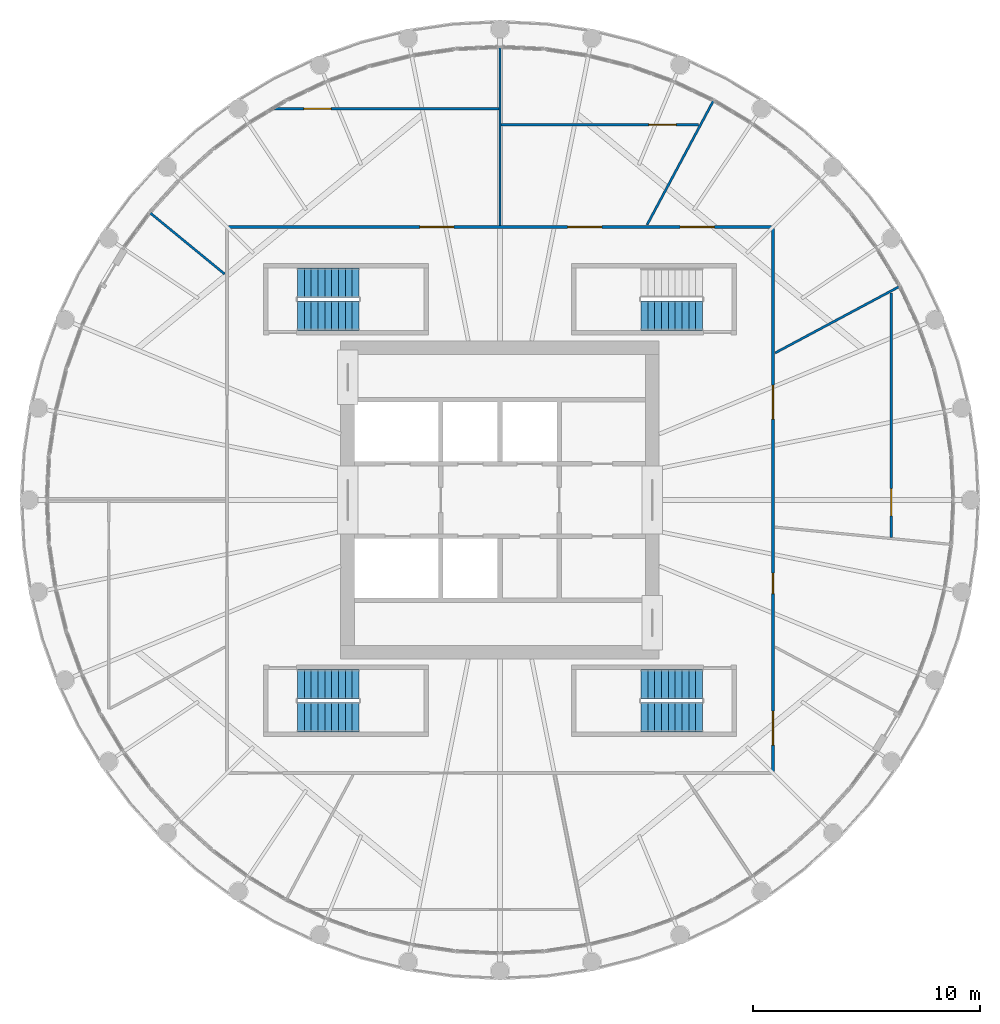
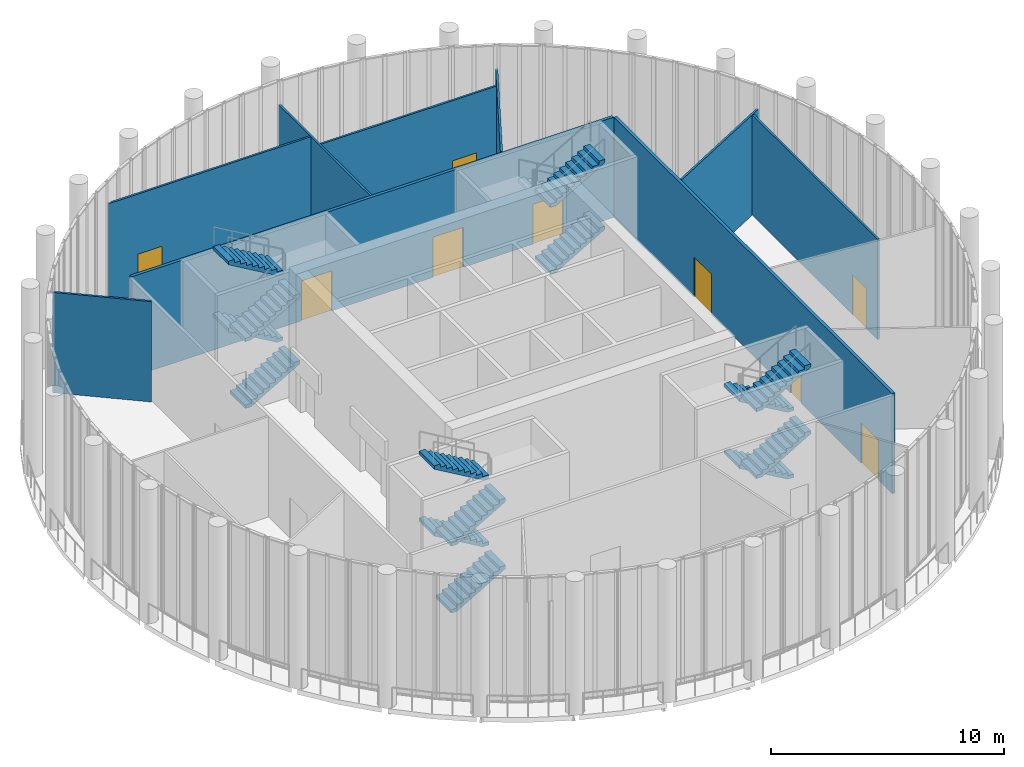
# One storey, part 17 of 21: 14 stair flights, 9 doors, 9 walls, 9 openings, 4 elements without a shape of their own.
"""IFC4 building model written with IfcOpenShell, lengths in metres."""

import ifcopenshell
import ifcopenshell.guid

model = None  # the IFC model being written
_history = None  # IfcOwnerHistory: only IFC2X3 demands one
_inside = {}  # id of a spatial element -> (the spatial element, [elements in it])
_under = {}  # id of a project, library or spatial element -> (it, [spatial elements below it])
_declared = {}  # id of a project -> (the project, [libraries it declares])
_typed = {}  # id of a type object -> (the type object, [elements of that type])
_made_of = {}  # id of a material, layer set ... -> (it, [elements and type objects made of it])


def new_model(schema):
    """Start an empty IFC model of exactly this schema.

    Asked for "IFC4X3", IfcOpenShell would pick the latest addendum, in which some entities
    have other attributes; the version numbers below select the first issue.
    IFC2X3 requires an IfcOwnerHistory on every rooted entity: one is made here for all.
    """
    global model, _history
    if schema == "IFC4X3":
        model = ifcopenshell.file(schema_version=(4, 3, 0, 0))
    else:
        model = ifcopenshell.file(schema=schema)
    _inside.clear()
    _under.clear()
    _declared.clear()
    _typed.clear()
    _made_of.clear()
    _history = None
    if model.schema == "IFC2X3":
        org = make("IfcOrganization", Name="unknown")
        user = make(
            "IfcPersonAndOrganization",
            ThePerson=make("IfcPerson", FamilyName="unknown"),
            TheOrganization=org,
        )
        app = make(
            "IfcApplication",
            ApplicationDeveloper=org,
            Version="unknown",
            ApplicationFullName="unknown",
            ApplicationIdentifier="unknown",
        )
        _history = make(
            "IfcOwnerHistory",
            OwningUser=user,
            OwningApplication=app,
            ChangeAction="ADDED",
            CreationDate=0,
        )
    return model


def make(cls, **values):
    """One entity of the class cls with the attributes given. An attribute that is None is left unset."""
    return model.create_entity(
        cls, **{name: value for name, value in values.items() if value is not None}
    )


def rooted(cls, **values):
    """An entity with a GlobalId (a new one), such as an element, a storey or a relation."""
    return make(cls, GlobalId=ifcopenshell.guid.new(), OwnerHistory=_history, **values)


def si_unit(unit_type, name, prefix=None):
    """IfcSIUnit, for example si_unit("LENGTHUNIT", "METRE", prefix="MILLI")."""
    return make("IfcSIUnit", UnitType=unit_type, Prefix=prefix, Name=name)


def assignment(units):
    """IfcUnitAssignment: the units of a project."""
    return None if units is None else make("IfcUnitAssignment", Units=units)


def point(xyz):
    """IfcCartesianPoint."""
    return None if xyz is None else make("IfcCartesianPoint", Coordinates=xyz)


def direction(xyz):
    """IfcDirection."""
    return None if xyz is None else make("IfcDirection", DirectionRatios=xyz)


def frame(location, z_axis=None, x_axis=None):
    """IfcAxis2Placement3D, a coordinate frame: its origin and axes. An axis left out is left unset."""
    return make(
        "IfcAxis2Placement3D",
        Location=point(location),
        Axis=direction(z_axis),
        RefDirection=direction(x_axis),
    )


def frame_2d(location, x_axis=None):
    """IfcAxis2Placement2D, a coordinate frame in the plane: its origin and x axis."""
    return make(
        "IfcAxis2Placement2D", Location=point(location), RefDirection=direction(x_axis)
    )


def origin():
    """The frame at (0, 0, 0) with its axes left unset."""
    return frame((0.0, 0.0, 0.0))


def place(relative_to, where):
    """IfcLocalPlacement: puts the frame where relative to a parent placement (None: the world)."""
    return make(
        "IfcLocalPlacement", PlacementRelTo=relative_to, RelativePlacement=where
    )


def context(
    kind, dimensions, precision=None, world=None, true_north=None, identifier=None
):
    """IfcGeometricRepresentationContext, for example the 3D "Model" context."""
    return make(
        "IfcGeometricRepresentationContext",
        ContextIdentifier=identifier,
        ContextType=kind,
        CoordinateSpaceDimension=dimensions,
        Precision=precision,
        WorldCoordinateSystem=world,
        TrueNorth=true_north,
    )


def subcontext(parent, identifier, kind, view, scale=None):
    """IfcGeometricRepresentationSubContext, for example "Body" below "Model"."""
    return make(
        "IfcGeometricRepresentationSubContext",
        ContextIdentifier=identifier,
        ContextType=kind,
        ParentContext=parent,
        TargetScale=scale,
        TargetView=view,
    )


def project(units=None, contexts=None):
    """IfcProject with its units and contexts."""
    return rooted(
        "IfcProject",
        Name="project",
        RepresentationContexts=contexts,
        UnitsInContext=assignment(units),
    )


def spatial(cls, under=None, at=None, **own):
    """A site, building, storey or space (cls), placed at a placement, below another one or the project."""
    s = rooted(cls, ObjectPlacement=at, **own)
    if under is not None:
        _under.setdefault(under.id(), (under, []))[1].append(s)
    return s


def polyline(points):
    """IfcPolyline through the points."""
    return make("IfcPolyline", Points=[point(p) for p in points])


def profile(cls, at=None, kind="AREA", **sizes):
    """A parametric profile (cls). Its sizes go by their IFC names, for example OverallWidth=200.0."""
    return make(cls, ProfileType=kind, Position=at, **sizes)


def rectangle(**sizes):
    """IfcRectangleProfileDef."""
    return profile("IfcRectangleProfileDef", **sizes)


def outline(outer, holes=None, kind="AREA"):
    """IfcArbitraryClosedProfileDef: a profile drawn as a closed curve; with holes, ...WithVoids."""
    if holes is None:
        return make("IfcArbitraryClosedProfileDef", ProfileType=kind, OuterCurve=outer)
    return make(
        "IfcArbitraryProfileDefWithVoids",
        ProfileType=kind,
        OuterCurve=outer,
        InnerCurves=holes,
    )


def extrude(swept, where, along, depth):
    """IfcExtrudedAreaSolid: the profile swept, set in the frame where, extruded along a direction by depth."""
    return make(
        "IfcExtrudedAreaSolid",
        SweptArea=swept,
        Position=where,
        ExtrudedDirection=direction(along),
        Depth=depth,
    )


def shape(context_of_items, identifier, shape_type, items):
    """IfcShapeRepresentation: the items that make up one representation, for example the "Body"."""
    return make(
        "IfcShapeRepresentation",
        ContextOfItems=context_of_items,
        RepresentationIdentifier=identifier,
        RepresentationType=shape_type,
        Items=items,
    )


def material(Name=None, Category=None):
    """IfcMaterial."""
    return make("IfcMaterial", Name=Name, Category=Category)


def layer(
    of_material, thickness, ventilated=None, Name=None, Category=None, Priority=None
):
    """IfcMaterialLayer: one layer of a wall or slab, of a material (None: an air gap)."""
    return make(
        "IfcMaterialLayer",
        Material=of_material,
        LayerThickness=thickness,
        IsVentilated=ventilated,
        Name=Name,
        Category=Category,
        Priority=Priority,
    )


def layer_set(layers, Name=None):
    """IfcMaterialLayerSet."""
    return make("IfcMaterialLayerSet", MaterialLayers=layers, LayerSetName=Name)


def made_of(thing, what):
    """Note that an element or type object is made of a material, layer set ...; save() writes the relation."""
    if what is not None:
        _made_of.setdefault(what.id(), (what, []))[1].append(thing)
    return thing


def type_object(cls, material=None, **own):
    """A type object (cls), such as IfcWallType, which elements share."""
    return made_of(rooted(cls, **own), material)


def element(
    cls,
    number,
    at=None,
    inside=None,
    cuts=None,
    type_object=None,
    material=None,
    context=None,
    identifier="Body",
    shape_type=None,
    held_by="IfcProductDefinitionShape",
    body=None,
    shapes=None,
    **own,
):
    """One element of the class cls, such as IfcWall. Its Tag is "e" and its number.

    at: its placement. inside: the storey or other place that contains it. cuts: it is an
    opening in that element (IfcRelVoidsElement). A single representation is given by context,
    identifier, shape_type and body (its items); several are given by shapes. held_by: the class
    of the entity that holds the representations. save() writes the other relations.
    """
    e = rooted(cls, Tag="e%d" % number, ObjectPlacement=at, **own)
    if body is not None:
        shapes = [shape(context, identifier, shape_type, body)]
    if shapes is not None:
        e.Representation = make(held_by, Representations=shapes)
    if inside is not None:
        _inside.setdefault(inside.id(), (inside, []))[1].append(e)
    if cuts is not None:
        rooted(
            "IfcRelVoidsElement", RelatingBuildingElement=cuts, RelatedOpeningElement=e
        )
    if type_object is not None:
        _typed.setdefault(type_object.id(), (type_object, []))[1].append(e)
    return made_of(e, material)


def fill(opening, filler):
    """IfcRelFillsElement: the door or window that sits in an opening."""
    return rooted(
        "IfcRelFillsElement",
        RelatingOpeningElement=opening,
        RelatedBuildingElement=filler,
    )


def aggregate(whole, parts):
    """IfcRelAggregates: a whole, such as a stair, and the parts it consists of."""
    return rooted("IfcRelAggregates", RelatingObject=whole, RelatedObjects=parts)


def save(model, path):
    """Write the relations noted so far, then the file.

    IfcRelAggregates (storeys below a building ...), IfcRelContainedInSpatialStructure (elements
    in a storey), IfcRelDefinesByType, IfcRelAssociatesMaterial and IfcRelDeclares: one each for
    every whole, place, type object, material and project.
    """
    for whole, parts in _under.values():
        aggregate(whole, parts)
    for where, things in _inside.values():
        rooted(
            "IfcRelContainedInSpatialStructure",
            RelatedElements=things,
            RelatingStructure=where,
        )
    for kind, things in _typed.values():
        rooted("IfcRelDefinesByType", RelatedObjects=things, RelatingType=kind)
    for what, things in _made_of.values():
        rooted("IfcRelAssociatesMaterial", RelatedObjects=things, RelatingMaterial=what)
    for by, libraries in _declared.values():
        rooted("IfcRelDeclares", RelatingContext=by, RelatedDefinitions=libraries)
    model.write(path)


model = new_model("IFC4")

# Units and contexts
model_context = context("Model", 3, precision=1e-05, world=origin(), true_north=direction((0.0, 1.0)))
body_context = subcontext(model_context, "Body", "Model", "MODEL_VIEW")
ifc_project = project(units=[si_unit("LENGTHUNIT", "METRE"), si_unit("AREAUNIT", "SQUARE_METRE"), si_unit("VOLUMEUNIT", "CUBIC_METRE"), si_unit("PLANEANGLEUNIT", "RADIAN"), si_unit("MASSUNIT", "GRAM", prefix="KILO")], contexts=[model_context])

# Site, building, storey
site_placement = place(None, origin())
site = spatial("IfcSite", under=ifc_project, at=site_placement, CompositionType="ELEMENT")
building_placement = place(site_placement, origin())
building = spatial("IfcBuilding", under=site, at=building_placement, Name="Corvane Civic Tower", CompositionType="ELEMENT")
storey_placement = place(building_placement, frame((0.0, 0.0, 380.5)))
storey = spatial("IfcBuildingStorey", under=building, at=storey_placement, Name="L91", CompositionType="ELEMENT", Elevation=380.5)

# Wall, opening, door
ifc_material_1 = material(Name="Plasterboard")
ifc_layer_1 = layer(ifc_material_1, 0.10009765625)
ifc_layer_set_1 = layer_set([ifc_layer_1], Name="Plasterboard")
wall_type_1 = type_object("IfcWallType", Name="Partition 100 plasterboard on studs", PredefinedType="PARTITIONING", material=ifc_layer_set_1)
wall_1_placement = place(storey_placement, frame((17.199951171875, -1.638916015625, 0.0), z_axis=(0.0, 0.0, 1.0), x_axis=(0.0, 1.0, 0.0)))
wall_1 = element("IfcWall", 1, at=wall_1_placement, inside=storey, type_object=wall_type_1, Name="Partition L91.012", PredefinedType="PARTITIONING", context=body_context, shape_type="SweptSolid", body=[
    extrude(rectangle(XDim=10.7490234375, YDim=0.10009765625, at=frame_2d((5.37451171875, 0.0))), origin(), (0.0, 0.0, 1.0), 5.25),
])
opening_1_placement = place(wall_1_placement, frame((0.944580078125, 0.0, 0.0)))
opening_1 = element("IfcOpeningElement", 2, at=opening_1_placement, cuts=wall_1, Name="Opening L91.004", PredefinedType="OPENING", context=body_context, shape_type="SweptSolid", body=[
    extrude(rectangle(XDim=1.199951171875, YDim=2.10009765625, at=frame_2d((0.60009765625, 1.050048828125))), frame((0.0, 0.06005859375, 0.0), z_axis=(0.0, -1.0, 0.0), x_axis=(1.0, 0.0, 0.0)), (0.0, 0.0, 1.0), 0.1201171875),
])
ifc_material_2 = material(Name="Timber", Category="wood")
door_type_1 = type_object("IfcDoorType", Name="Double door 1200", OperationType="NOTDEFINED", PredefinedType="DOOR", material=ifc_material_2)
door_1_placement = place(opening_1_placement, frame((1.199951171875, 0.0, 0.0), z_axis=(0.0, 0.0, 1.0), x_axis=(-1.0, 0.0, 0.0)))
door_1 = element("IfcDoor", 3, at=door_1_placement, inside=storey, type_object=door_type_1, Name="Door L91.004", OperationType="DOUBLE_DOOR_SINGLE_SWING", OverallHeight=2.10009765625, OverallWidth=1.199951171875, PredefinedType="DOOR", context=body_context, shape_type="SweptSolid", body=[
    extrude(rectangle(XDim=1.199951171875, YDim=2.10009765625, at=frame_2d((0.60009765625, 1.050048828125))), frame((0.0, 0.02490234375, 0.0), z_axis=(0.0, -1.0, 0.0), x_axis=(1.0, 0.0, 0.0)), (0.0, 0.0, 1.0), 0.050048828125),
])
fill(opening_1, door_1)

# Walls
wall_2_placement = place(storey_placement, frame((12.0986328125, 6.466796875, 0.0), z_axis=(0.0, 0.0, 1.0), x_axis=(0.881911169036, 0.47141562334, 0.0)))
element("IfcWall", 4, at=wall_2_placement, inside=storey, type_object=wall_type_1, Name="Partition L91.014", PredefinedType="PARTITIONING", context=body_context, shape_type="SweptSolid", body=[
    extrude(rectangle(XDim=6.231689453125, YDim=0.10009765625, at=frame_2d((3.11572265625, 0.0))), origin(), (0.0, 0.0, 1.0), 5.25),
])
wall_3_placement = place(storey_placement, frame((-15.421630859375, 12.65625, 0.0), z_axis=(0.0, 0.0, 1.0), x_axis=(0.773015384405, -0.634387275624, 0.0)))
element("IfcWall", 5, at=wall_3_placement, inside=storey, type_object=wall_type_1, Name="Partition L91.015", PredefinedType="PARTITIONING", context=body_context, shape_type="SweptSolid", body=[
    extrude(rectangle(XDim=4.288330078125, YDim=0.10009765625, at=frame_2d((2.14404296875, 0.0))), origin(), (0.0, 0.0, 1.0), 5.25),
])
wall_4_placement = place(storey_placement, frame((0.0, 12.074951171875, 0.0), z_axis=(0.0, 0.0, 1.0), x_axis=(0.0, 1.0, 0.0)))
element("IfcWall", 6, at=wall_4_placement, inside=storey, type_object=wall_type_1, Name="Partition L91.017", PredefinedType="PARTITIONING", context=body_context, shape_type="SweptSolid", body=[
    extrude(rectangle(XDim=7.875244140625, YDim=0.10009765625, at=frame_2d((3.9375, 0.0))), origin(), (0.0, 0.0, 1.0), 5.25),
])
wall_5_placement = place(storey_placement, frame((6.466796875, 12.0986328125, 0.0), z_axis=(0.0, 0.0, 1.0), x_axis=(0.47141562334, 0.881911169036, 0.0)))
element("IfcWall", 7, at=wall_5_placement, inside=storey, type_object=wall_type_1, Name="Partition L91.018", PredefinedType="PARTITIONING", context=body_context, shape_type="SweptSolid", body=[
    extrude(rectangle(XDim=6.231689453125, YDim=0.10009765625, at=frame_2d((3.11572265625, 0.0))), origin(), (0.0, 0.0, 1.0), 5.25),
])

# Wall, opening, door
wall_6_placement = place(storey_placement, frame((0.050048828125, 16.5, 0.0), z_axis=(0.0, 0.0, 1.0), x_axis=(1.0, 0.0, 0.0)))
wall_6 = element("IfcWall", 8, at=wall_6_placement, inside=storey, type_object=wall_type_1, Name="Partition L91.019", PredefinedType="PARTITIONING", context=body_context, shape_type="SweptSolid", body=[
    extrude(rectangle(XDim=8.68603515625, YDim=0.10009765625, at=frame_2d((4.343017578125, 0.0))), origin(), (0.0, 0.0, 1.0), 5.25),
])
opening_2_placement = place(wall_6_placement, frame((6.497314453125, 0.0, 0.0)))
opening_2 = element("IfcOpeningElement", 9, at=opening_2_placement, cuts=wall_6, Name="Opening L91.001", PredefinedType="OPENING", context=body_context, shape_type="SweptSolid", body=[
    extrude(rectangle(XDim=1.199951171875, YDim=2.10009765625, at=frame_2d((0.60009765625, 1.050048828125))), frame((0.0, 0.06005859375, 0.0), z_axis=(0.0, -1.0, 0.0), x_axis=(1.0, 0.0, 0.0)), (0.0, 0.0, 1.0), 0.1201171875),
])
door_2_placement = place(opening_2_placement, origin())
door_2 = element("IfcDoor", 10, at=door_2_placement, inside=storey, type_object=door_type_1, Name="Door L91.001", OperationType="DOUBLE_DOOR_SINGLE_SWING", OverallHeight=2.10009765625, OverallWidth=1.199951171875, PredefinedType="DOOR", context=body_context, shape_type="SweptSolid", body=[
    extrude(rectangle(XDim=1.199951171875, YDim=2.10009765625, at=frame_2d((0.60009765625, 1.050048828125))), frame((0.0, 0.02490234375, 0.0), z_axis=(0.0, -1.0, 0.0), x_axis=(1.0, 0.0, 0.0)), (0.0, 0.0, 1.0), 0.050048828125),
])
fill(opening_2, door_2)

wall_7_placement = place(storey_placement, frame((-10.062744140625, 17.199951171875, 0.0), z_axis=(0.0, 0.0, 1.0), x_axis=(1.0, 0.0, 0.0)))
wall_7 = element("IfcWall", 11, at=wall_7_placement, inside=storey, type_object=wall_type_1, Name="Partition L91.020", PredefinedType="PARTITIONING", context=body_context, shape_type="SweptSolid", body=[
    extrude(rectangle(XDim=10.0126953125, YDim=0.10009765625, at=frame_2d((5.00634765625, 0.0))), origin(), (0.0, 0.0, 1.0), 5.25),
])
opening_3_placement = place(wall_7_placement, frame((1.44482421875, 0.0, 0.0)))
opening_3 = element("IfcOpeningElement", 12, at=opening_3_placement, cuts=wall_7, Name="Opening L91.015", PredefinedType="OPENING", context=body_context, shape_type="SweptSolid", body=[
    extrude(rectangle(XDim=1.199951171875, YDim=2.10009765625, at=frame_2d((0.60009765625, 1.050048828125))), frame((0.0, 0.06005859375, 0.0), z_axis=(0.0, -1.0, 0.0), x_axis=(1.0, 0.0, 0.0)), (0.0, 0.0, 1.0), 0.1201171875),
])
door_3_placement = place(opening_3_placement, origin())
door_3 = element("IfcDoor", 13, at=door_3_placement, inside=storey, type_object=door_type_1, Name="Door L91.015", OperationType="DOUBLE_DOOR_SINGLE_SWING", OverallHeight=2.10009765625, OverallWidth=1.199951171875, PredefinedType="DOOR", context=body_context, shape_type="SweptSolid", body=[
    extrude(rectangle(XDim=1.199951171875, YDim=2.10009765625, at=frame_2d((0.60009765625, 1.050048828125))), frame((0.0, 0.02490234375, 0.0), z_axis=(0.0, -1.0, 0.0), x_axis=(1.0, 0.0, 0.0)), (0.0, 0.0, 1.0), 0.050048828125),
])
fill(opening_3, door_3)

# Wall, openings, doors
ifc_material_3 = material(Name="Plasterboard")
ifc_layer_2 = layer(ifc_material_3, 0.14990234375)
ifc_layer_set_2 = layer_set([ifc_layer_2], Name="Plasterboard")
wall_type_2 = type_object("IfcWallType", Name="Tenancy wall 150 EI 60", PredefinedType="PARTITIONING", material=ifc_layer_set_2)
wall_8_placement = place(storey_placement, frame((12.0, -11.925048828125, 0.0), z_axis=(0.0, 0.0, 1.0), x_axis=(0.0, 1.0, 0.0)))
wall_8 = element("IfcWall", 14, at=wall_8_placement, inside=storey, type_object=wall_type_2, Name="Partition L91.007", PredefinedType="PARTITIONING", context=body_context, shape_type="SweptSolid", body=[
    extrude(rectangle(XDim=23.85009765625, YDim=0.14990234375, at=frame_2d((11.925048828125, 0.0))), origin(), (0.0, 0.0, 1.0), 5.25),
])
opening_4_placement = place(wall_8_placement, frame((15.47998046875, 0.0, 0.0)))
opening_4 = element("IfcOpeningElement", 15, at=opening_4_placement, cuts=wall_8, Name="Opening L91.005", PredefinedType="OPENING", context=body_context, shape_type="SweptSolid", body=[
    extrude(rectangle(XDim=1.5, YDim=2.10009765625, at=frame_2d((0.75, 1.050048828125))), frame((0.0, 0.0849609375, 0.0), z_axis=(0.0, -1.0, 0.0), x_axis=(1.0, 0.0, 0.0)), (0.0, 0.0, 1.0), 0.169921875),
])
opening_5_placement = place(wall_8_placement, frame((7.8076171875, 0.0, 0.0)))
opening_5 = element("IfcOpeningElement", 16, at=opening_5_placement, cuts=wall_8, Name="Opening L91.006", PredefinedType="OPENING", context=body_context, shape_type="SweptSolid", body=[
    extrude(rectangle(XDim=0.89990234375, YDim=2.10009765625, at=frame_2d((0.449951171875, 1.050048828125))), frame((0.0, 0.0849609375, 0.0), z_axis=(0.0, -1.0, 0.0), x_axis=(1.0, 0.0, 0.0)), (0.0, 0.0, 1.0), 0.169921875),
])
opening_6_placement = place(wall_8_placement, frame((1.14794921875, 0.0, 0.0)))
opening_6 = element("IfcOpeningElement", 17, at=opening_6_placement, cuts=wall_8, Name="Opening L91.007", PredefinedType="OPENING", context=body_context, shape_type="SweptSolid", body=[
    extrude(rectangle(XDim=1.5, YDim=2.10009765625, at=frame_2d((0.75, 1.050048828125))), frame((0.0, 0.0849609375, 0.0), z_axis=(0.0, -1.0, 0.0), x_axis=(1.0, 0.0, 0.0)), (0.0, 0.0, 1.0), 0.169921875),
])
ifc_material_4 = material(Name="Steel and timber", Category="steel")
door_type_2 = type_object("IfcDoorType", Name="Fire door FD30S 900", OperationType="NOTDEFINED", PredefinedType="DOOR", material=ifc_material_4)
door_4_placement = place(opening_5_placement, frame((0.89990234375, 0.0, 0.0), z_axis=(0.0, 0.0, 1.0), x_axis=(-1.0, 0.0, 0.0)))
door_4 = element("IfcDoor", 18, at=door_4_placement, inside=storey, type_object=door_type_2, Name="Door L91.006", OperationType="SINGLE_SWING_RIGHT", OverallHeight=2.10009765625, OverallWidth=0.89990234375, PredefinedType="DOOR", context=body_context, shape_type="SweptSolid", body=[
    extrude(rectangle(XDim=0.89990234375, YDim=2.10009765625, at=frame_2d((0.449951171875, 1.050048828125))), frame((0.0, 0.02490234375, 0.0), z_axis=(0.0, -1.0, 0.0), x_axis=(1.0, 0.0, 0.0)), (0.0, 0.0, 1.0), 0.050048828125),
])
fill(opening_5, door_4)
ifc_material_5 = material(Name="Steel and timber", Category="steel")
door_type_3 = type_object("IfcDoorType", Name="Fire door FD60 double 1500", OperationType="NOTDEFINED", PredefinedType="DOOR", material=ifc_material_5)
door_5_placement = place(opening_4_placement, frame((1.5, 0.0, 0.0), z_axis=(0.0, 0.0, 1.0), x_axis=(-1.0, 0.0, 0.0)))
door_5 = element("IfcDoor", 19, at=door_5_placement, inside=storey, type_object=door_type_3, Name="Door L91.005", OperationType="DOUBLE_DOOR_SINGLE_SWING", OverallHeight=2.10009765625, OverallWidth=1.5, PredefinedType="DOOR", context=body_context, shape_type="SweptSolid", body=[
    extrude(rectangle(XDim=1.5, YDim=2.10009765625, at=frame_2d((0.75, 1.050048828125))), frame((0.0, 0.02490234375, 0.0), z_axis=(0.0, -1.0, 0.0), x_axis=(1.0, 0.0, 0.0)), (0.0, 0.0, 1.0), 0.050048828125),
])
fill(opening_4, door_5)
door_6_placement = place(opening_6_placement, frame((1.5, 0.0, 0.0), z_axis=(0.0, 0.0, 1.0), x_axis=(-1.0, 0.0, 0.0)))
door_6 = element("IfcDoor", 20, at=door_6_placement, inside=storey, type_object=door_type_3, Name="Door L91.007", OperationType="DOUBLE_DOOR_SINGLE_SWING", OverallHeight=2.10009765625, OverallWidth=1.5, PredefinedType="DOOR", context=body_context, shape_type="SweptSolid", body=[
    extrude(rectangle(XDim=1.5, YDim=2.10009765625, at=frame_2d((0.75, 1.050048828125))), frame((0.0, 0.02490234375, 0.0), z_axis=(0.0, -1.0, 0.0), x_axis=(1.0, 0.0, 0.0)), (0.0, 0.0, 1.0), 0.050048828125),
])
fill(opening_6, door_6)

wall_9_placement = place(storey_placement, frame((-11.925048828125, 12.0, 0.0), z_axis=(0.0, 0.0, 1.0), x_axis=(1.0, 0.0, 0.0)))
wall_9 = element("IfcWall", 21, at=wall_9_placement, inside=storey, type_object=wall_type_2, Name="Partition L91.016", PredefinedType="PARTITIONING", context=body_context, shape_type="SweptSolid", body=[
    extrude(rectangle(XDim=23.85009765625, YDim=0.14990234375, at=frame_2d((11.925048828125, 0.0))), origin(), (0.0, 0.0, 1.0), 5.25),
])
opening_7_placement = place(wall_9_placement, frame((14.898681640625, 0.0, 0.0)))
opening_7 = element("IfcOpeningElement", 22, at=opening_7_placement, cuts=wall_9, Name="Opening L91.002", PredefinedType="OPENING", context=body_context, shape_type="SweptSolid", body=[
    extrude(rectangle(XDim=1.5, YDim=2.10009765625, at=frame_2d((0.75, 1.050048828125))), frame((0.0, 0.0849609375, 0.0), z_axis=(0.0, -1.0, 0.0), x_axis=(1.0, 0.0, 0.0)), (0.0, 0.0, 1.0), 0.169921875),
])
opening_8_placement = place(wall_9_placement, frame((19.845703125, 0.0, 0.0)))
opening_8 = element("IfcOpeningElement", 23, at=opening_8_placement, cuts=wall_9, Name="Opening L91.003", PredefinedType="OPENING", context=body_context, shape_type="SweptSolid", body=[
    extrude(rectangle(XDim=1.5, YDim=2.10009765625, at=frame_2d((0.75, 1.050048828125))), frame((0.0, 0.0849609375, 0.0), z_axis=(0.0, -1.0, 0.0), x_axis=(1.0, 0.0, 0.0)), (0.0, 0.0, 1.0), 0.169921875),
])
opening_9_placement = place(wall_9_placement, frame((8.400634765625, 0.0, 0.0)))
opening_9 = element("IfcOpeningElement", 24, at=opening_9_placement, cuts=wall_9, Name="Opening L91.016", PredefinedType="OPENING", context=body_context, shape_type="SweptSolid", body=[
    extrude(rectangle(XDim=1.5, YDim=2.10009765625, at=frame_2d((0.75, 1.050048828125))), frame((0.0, 0.0849609375, 0.0), z_axis=(0.0, -1.0, 0.0), x_axis=(1.0, 0.0, 0.0)), (0.0, 0.0, 1.0), 0.169921875),
])
door_7_placement = place(opening_7_placement, origin())
door_7 = element("IfcDoor", 25, at=door_7_placement, inside=storey, type_object=door_type_3, Name="Door L91.002", OperationType="DOUBLE_DOOR_SINGLE_SWING", OverallHeight=2.10009765625, OverallWidth=1.5, PredefinedType="DOOR", context=body_context, shape_type="SweptSolid", body=[
    extrude(rectangle(XDim=1.5, YDim=2.10009765625, at=frame_2d((0.75, 1.050048828125))), frame((0.0, 0.02490234375, 0.0), z_axis=(0.0, -1.0, 0.0), x_axis=(1.0, 0.0, 0.0)), (0.0, 0.0, 1.0), 0.050048828125),
])
fill(opening_7, door_7)
door_8_placement = place(opening_8_placement, origin())
door_8 = element("IfcDoor", 26, at=door_8_placement, inside=storey, type_object=door_type_3, Name="Door L91.003", OperationType="DOUBLE_DOOR_SINGLE_SWING", OverallHeight=2.10009765625, OverallWidth=1.5, PredefinedType="DOOR", context=body_context, shape_type="SweptSolid", body=[
    extrude(rectangle(XDim=1.5, YDim=2.10009765625, at=frame_2d((0.75, 1.050048828125))), frame((0.0, 0.02490234375, 0.0), z_axis=(0.0, -1.0, 0.0), x_axis=(1.0, 0.0, 0.0)), (0.0, 0.0, 1.0), 0.050048828125),
])
fill(opening_8, door_8)
door_9_placement = place(opening_9_placement, origin())
door_9 = element("IfcDoor", 27, at=door_9_placement, inside=storey, type_object=door_type_3, Name="Door L91.016", OperationType="DOUBLE_DOOR_SINGLE_SWING", OverallHeight=2.10009765625, OverallWidth=1.5, PredefinedType="DOOR", context=body_context, shape_type="SweptSolid", body=[
    extrude(rectangle(XDim=1.5, YDim=2.10009765625, at=frame_2d((0.75, 1.050048828125))), frame((0.0, 0.02490234375, 0.0), z_axis=(0.0, -1.0, 0.0), x_axis=(1.0, 0.0, 0.0)), (0.0, 0.0, 1.0), 0.050048828125),
])
fill(opening_9, door_9)

# Stair, stair flights
ifc_material_6 = material(Name="Concrete C40/50", Category="concrete")
stair_type = type_object("IfcStairType", Name="ST-STAIR-HALFTURN", PredefinedType="HALF_TURN_STAIR", material=ifc_material_6)
stair_1_placement = place(storey_placement, origin())
stair_1 = element("IfcStair", 28, at=stair_1_placement, inside=storey, type_object=stair_type, Name="L91 Exit stair ST1", PredefinedType="HALF_TURN_STAIR")
ifc_material_7 = material(Name="Concrete C40/50", Category="concrete")
stair_flight_type = type_object("IfcStairFlightType", Name="ST-FLIGHT-RC", PredefinedType="STRAIGHT", material=ifc_material_7)
stair_flight_1_placement = place(storey_placement, frame((6.199951171875, 8.10009765625, 1.75), z_axis=(0.0, 0.0, 1.0), x_axis=(1.0, 0.0, 0.0)))
stair_flight_1 = element("IfcStairFlight", 29, at=stair_flight_1_placement, type_object=stair_flight_type, Name="ST1 flight 2", NumberOfRisers=10, NumberOfTreads=9, PredefinedType="STRAIGHT", RiserHeight=0.175, TreadLength=0.3, context=body_context, shape_type="SweptSolid", body=[
    extrude(outline(polyline([(0.0, 0.0), (0.0, 0.175048828125), (0.300048828125, 0.175048828125), (0.300048828125, 0.35009765625), (0.60009765625, 0.35009765625), (0.60009765625, 0.52490234375), (0.89990234375, 0.52490234375), (0.89990234375, 0.699951171875), (1.199951171875, 0.699951171875), (1.199951171875, 0.875), (1.5, 0.875), (1.5, 1.050048828125), (1.800048828125, 1.050048828125), (1.800048828125, 1.22509765625), (2.10009765625, 1.22509765625), (2.10009765625, 1.39990234375), (2.39990234375, 1.39990234375), (2.39990234375, 1.574951171875), (2.699951171875, 1.574951171875), (2.699951171875, 1.75), (2.699951171875, 1.4013671875), (0.297607421875, 0.0), (0.0, 0.0)])), frame((0.0, 0.64990234375, 0.0), z_axis=(0.0, -1.0, 0.0), x_axis=(1.0, 0.0, 0.0)), (0.0, 0.0, 1.0), 1.300048828125),
])
stair_flight_2_placement = place(storey_placement, frame((6.199951171875, 8.10009765625, 5.25), z_axis=(0.0, 0.0, 1.0), x_axis=(1.0, 0.0, 0.0)))
stair_flight_2 = element("IfcStairFlight", 30, at=stair_flight_2_placement, type_object=stair_flight_type, Name="ST1 flight 4", NumberOfRisers=10, NumberOfTreads=9, PredefinedType="STRAIGHT", RiserHeight=0.175, TreadLength=0.3, context=body_context, shape_type="SweptSolid", body=[
    extrude(outline(polyline([(0.0, 0.0), (0.0, 0.175048828125), (0.300048828125, 0.175048828125), (0.300048828125, 0.35009765625), (0.60009765625, 0.35009765625), (0.60009765625, 0.52490234375), (0.89990234375, 0.52490234375), (0.89990234375, 0.699951171875), (1.199951171875, 0.699951171875), (1.199951171875, 0.875), (1.5, 0.875), (1.5, 1.050048828125), (1.800048828125, 1.050048828125), (1.800048828125, 1.22509765625), (2.10009765625, 1.22509765625), (2.10009765625, 1.39990234375), (2.39990234375, 1.39990234375), (2.39990234375, 1.574951171875), (2.699951171875, 1.574951171875), (2.699951171875, 1.75), (2.699951171875, 1.4013671875), (0.297607421875, 0.0), (0.0, 0.0)])), frame((0.0, 0.64990234375, 0.0), z_axis=(0.0, -1.0, 0.0), x_axis=(1.0, 0.0, 0.0)), (0.0, 0.0, 1.0), 1.300048828125),
])
aggregate(stair_1, [stair_flight_1, stair_flight_2])

stair_2_placement = place(storey_placement, origin())
stair_2 = element("IfcStair", 31, at=stair_2_placement, inside=storey, type_object=stair_type, Name="L91 Exit stair ST2", PredefinedType="HALF_TURN_STAIR")
stair_flight_3_placement = place(storey_placement, frame((8.89990234375, -8.10009765625, 0.0), z_axis=(0.0, 0.0, 1.0), x_axis=(-1.0, 0.0, 0.0)))
stair_flight_3 = element("IfcStairFlight", 32, at=stair_flight_3_placement, type_object=stair_flight_type, Name="ST2 flight 1", NumberOfRisers=10, NumberOfTreads=9, PredefinedType="STRAIGHT", RiserHeight=0.175, TreadLength=0.3, context=body_context, shape_type="SweptSolid", body=[
    extrude(outline(polyline([(0.0, 0.0), (0.0, 0.175048828125), (0.300048828125, 0.175048828125), (0.300048828125, 0.35009765625), (0.60009765625, 0.35009765625), (0.60009765625, 0.52490234375), (0.89990234375, 0.52490234375), (0.89990234375, 0.699951171875), (1.199951171875, 0.699951171875), (1.199951171875, 0.875), (1.5, 0.875), (1.5, 1.050048828125), (1.800048828125, 1.050048828125), (1.800048828125, 1.22509765625), (2.10009765625, 1.22509765625), (2.10009765625, 1.39990234375), (2.39990234375, 1.39990234375), (2.39990234375, 1.574951171875), (2.699951171875, 1.574951171875), (2.699951171875, 1.75), (2.699951171875, 1.4013671875), (0.297607421875, 0.0), (0.0, 0.0)])), frame((0.0, 0.64990234375, 0.0), z_axis=(0.0, -1.0, 0.0), x_axis=(1.0, 0.0, 0.0)), (0.0, 0.0, 1.0), 1.300048828125),
])
stair_flight_4_placement = place(storey_placement, frame((6.199951171875, -9.550048828125, 1.75), z_axis=(0.0, 0.0, 1.0), x_axis=(1.0, 0.0, 0.0)))
stair_flight_4 = element("IfcStairFlight", 33, at=stair_flight_4_placement, type_object=stair_flight_type, Name="ST2 flight 2", NumberOfRisers=10, NumberOfTreads=9, PredefinedType="STRAIGHT", RiserHeight=0.175, TreadLength=0.3, context=body_context, shape_type="SweptSolid", body=[
    extrude(outline(polyline([(0.0, 0.0), (0.0, 0.175048828125), (0.300048828125, 0.175048828125), (0.300048828125, 0.35009765625), (0.60009765625, 0.35009765625), (0.60009765625, 0.52490234375), (0.89990234375, 0.52490234375), (0.89990234375, 0.699951171875), (1.199951171875, 0.699951171875), (1.199951171875, 0.875), (1.5, 0.875), (1.5, 1.050048828125), (1.800048828125, 1.050048828125), (1.800048828125, 1.22509765625), (2.10009765625, 1.22509765625), (2.10009765625, 1.39990234375), (2.39990234375, 1.39990234375), (2.39990234375, 1.574951171875), (2.699951171875, 1.574951171875), (2.699951171875, 1.75), (2.699951171875, 1.4013671875), (0.297607421875, 0.0), (0.0, 0.0)])), frame((0.0, 0.64990234375, 0.0), z_axis=(0.0, -1.0, 0.0), x_axis=(1.0, 0.0, 0.0)), (0.0, 0.0, 1.0), 1.300048828125),
])
stair_flight_5_placement = place(storey_placement, frame((8.89990234375, -8.10009765625, 3.5), z_axis=(0.0, 0.0, 1.0), x_axis=(-1.0, 0.0, 0.0)))
stair_flight_5 = element("IfcStairFlight", 34, at=stair_flight_5_placement, type_object=stair_flight_type, Name="ST2 flight 3", NumberOfRisers=10, NumberOfTreads=9, PredefinedType="STRAIGHT", RiserHeight=0.175, TreadLength=0.3, context=body_context, shape_type="SweptSolid", body=[
    extrude(outline(polyline([(0.0, 0.0), (0.0, 0.175048828125), (0.300048828125, 0.175048828125), (0.300048828125, 0.35009765625), (0.60009765625, 0.35009765625), (0.60009765625, 0.52490234375), (0.89990234375, 0.52490234375), (0.89990234375, 0.699951171875), (1.199951171875, 0.699951171875), (1.199951171875, 0.875), (1.5, 0.875), (1.5, 1.050048828125), (1.800048828125, 1.050048828125), (1.800048828125, 1.22509765625), (2.10009765625, 1.22509765625), (2.10009765625, 1.39990234375), (2.39990234375, 1.39990234375), (2.39990234375, 1.574951171875), (2.699951171875, 1.574951171875), (2.699951171875, 1.75), (2.699951171875, 1.4013671875), (0.297607421875, 0.0), (0.0, 0.0)])), frame((0.0, 0.64990234375, 0.0), z_axis=(0.0, -1.0, 0.0), x_axis=(1.0, 0.0, 0.0)), (0.0, 0.0, 1.0), 1.300048828125),
])
stair_flight_6_placement = place(storey_placement, frame((6.199951171875, -9.550048828125, 5.25), z_axis=(0.0, 0.0, 1.0), x_axis=(1.0, 0.0, 0.0)))
stair_flight_6 = element("IfcStairFlight", 35, at=stair_flight_6_placement, type_object=stair_flight_type, Name="ST2 flight 4", NumberOfRisers=10, NumberOfTreads=9, PredefinedType="STRAIGHT", RiserHeight=0.175, TreadLength=0.3, context=body_context, shape_type="SweptSolid", body=[
    extrude(outline(polyline([(0.0, 0.0), (0.0, 0.175048828125), (0.300048828125, 0.175048828125), (0.300048828125, 0.35009765625), (0.60009765625, 0.35009765625), (0.60009765625, 0.52490234375), (0.89990234375, 0.52490234375), (0.89990234375, 0.699951171875), (1.199951171875, 0.699951171875), (1.199951171875, 0.875), (1.5, 0.875), (1.5, 1.050048828125), (1.800048828125, 1.050048828125), (1.800048828125, 1.22509765625), (2.10009765625, 1.22509765625), (2.10009765625, 1.39990234375), (2.39990234375, 1.39990234375), (2.39990234375, 1.574951171875), (2.699951171875, 1.574951171875), (2.699951171875, 1.75), (2.699951171875, 1.4013671875), (0.297607421875, 0.0), (0.0, 0.0)])), frame((0.0, 0.64990234375, 0.0), z_axis=(0.0, -1.0, 0.0), x_axis=(1.0, 0.0, 0.0)), (0.0, 0.0, 1.0), 1.300048828125),
])
aggregate(stair_2, [stair_flight_3, stair_flight_4, stair_flight_5, stair_flight_6])

stair_3_placement = place(storey_placement, origin())
stair_3 = element("IfcStair", 36, at=stair_3_placement, inside=storey, type_object=stair_type, Name="L91 Exit stair ST3", PredefinedType="HALF_TURN_STAIR")
stair_flight_7_placement = place(storey_placement, frame((-8.89990234375, -9.550048828125, 0.0), z_axis=(0.0, 0.0, 1.0), x_axis=(1.0, 0.0, 0.0)))
stair_flight_7 = element("IfcStairFlight", 37, at=stair_flight_7_placement, type_object=stair_flight_type, Name="ST3 flight 1", NumberOfRisers=10, NumberOfTreads=9, PredefinedType="STRAIGHT", RiserHeight=0.175, TreadLength=0.3, context=body_context, shape_type="SweptSolid", body=[
    extrude(outline(polyline([(0.0, 0.0), (0.0, 0.175048828125), (0.300048828125, 0.175048828125), (0.300048828125, 0.35009765625), (0.60009765625, 0.35009765625), (0.60009765625, 0.52490234375), (0.89990234375, 0.52490234375), (0.89990234375, 0.699951171875), (1.199951171875, 0.699951171875), (1.199951171875, 0.875), (1.5, 0.875), (1.5, 1.050048828125), (1.800048828125, 1.050048828125), (1.800048828125, 1.22509765625), (2.10009765625, 1.22509765625), (2.10009765625, 1.39990234375), (2.39990234375, 1.39990234375), (2.39990234375, 1.574951171875), (2.699951171875, 1.574951171875), (2.699951171875, 1.75), (2.699951171875, 1.4013671875), (0.297607421875, 0.0), (0.0, 0.0)])), frame((0.0, 0.64990234375, 0.0), z_axis=(0.0, -1.0, 0.0), x_axis=(1.0, 0.0, 0.0)), (0.0, 0.0, 1.0), 1.300048828125),
])
stair_flight_8_placement = place(storey_placement, frame((-6.199951171875, -8.10009765625, 1.75), z_axis=(0.0, 0.0, 1.0), x_axis=(-1.0, 0.0, 0.0)))
stair_flight_8 = element("IfcStairFlight", 38, at=stair_flight_8_placement, type_object=stair_flight_type, Name="ST3 flight 2", NumberOfRisers=10, NumberOfTreads=9, PredefinedType="STRAIGHT", RiserHeight=0.175, TreadLength=0.3, context=body_context, shape_type="SweptSolid", body=[
    extrude(outline(polyline([(0.0, 0.0), (0.0, 0.175048828125), (0.300048828125, 0.175048828125), (0.300048828125, 0.35009765625), (0.60009765625, 0.35009765625), (0.60009765625, 0.52490234375), (0.89990234375, 0.52490234375), (0.89990234375, 0.699951171875), (1.199951171875, 0.699951171875), (1.199951171875, 0.875), (1.5, 0.875), (1.5, 1.050048828125), (1.800048828125, 1.050048828125), (1.800048828125, 1.22509765625), (2.10009765625, 1.22509765625), (2.10009765625, 1.39990234375), (2.39990234375, 1.39990234375), (2.39990234375, 1.574951171875), (2.699951171875, 1.574951171875), (2.699951171875, 1.75), (2.699951171875, 1.4013671875), (0.297607421875, 0.0), (0.0, 0.0)])), frame((0.0, 0.64990234375, 0.0), z_axis=(0.0, -1.0, 0.0), x_axis=(1.0, 0.0, 0.0)), (0.0, 0.0, 1.0), 1.300048828125),
])
stair_flight_9_placement = place(storey_placement, frame((-8.89990234375, -9.550048828125, 3.5), z_axis=(0.0, 0.0, 1.0), x_axis=(1.0, 0.0, 0.0)))
stair_flight_9 = element("IfcStairFlight", 39, at=stair_flight_9_placement, type_object=stair_flight_type, Name="ST3 flight 3", NumberOfRisers=10, NumberOfTreads=9, PredefinedType="STRAIGHT", RiserHeight=0.175, TreadLength=0.3, context=body_context, shape_type="SweptSolid", body=[
    extrude(outline(polyline([(0.0, 0.0), (0.0, 0.175048828125), (0.300048828125, 0.175048828125), (0.300048828125, 0.35009765625), (0.60009765625, 0.35009765625), (0.60009765625, 0.52490234375), (0.89990234375, 0.52490234375), (0.89990234375, 0.699951171875), (1.199951171875, 0.699951171875), (1.199951171875, 0.875), (1.5, 0.875), (1.5, 1.050048828125), (1.800048828125, 1.050048828125), (1.800048828125, 1.22509765625), (2.10009765625, 1.22509765625), (2.10009765625, 1.39990234375), (2.39990234375, 1.39990234375), (2.39990234375, 1.574951171875), (2.699951171875, 1.574951171875), (2.699951171875, 1.75), (2.699951171875, 1.4013671875), (0.297607421875, 0.0), (0.0, 0.0)])), frame((0.0, 0.64990234375, 0.0), z_axis=(0.0, -1.0, 0.0), x_axis=(1.0, 0.0, 0.0)), (0.0, 0.0, 1.0), 1.300048828125),
])
stair_flight_10_placement = place(storey_placement, frame((-6.199951171875, -8.10009765625, 5.25), z_axis=(0.0, 0.0, 1.0), x_axis=(-1.0, 0.0, 0.0)))
stair_flight_10 = element("IfcStairFlight", 40, at=stair_flight_10_placement, type_object=stair_flight_type, Name="ST3 flight 4", NumberOfRisers=10, NumberOfTreads=9, PredefinedType="STRAIGHT", RiserHeight=0.175, TreadLength=0.3, context=body_context, shape_type="SweptSolid", body=[
    extrude(outline(polyline([(0.0, 0.0), (0.0, 0.175048828125), (0.300048828125, 0.175048828125), (0.300048828125, 0.35009765625), (0.60009765625, 0.35009765625), (0.60009765625, 0.52490234375), (0.89990234375, 0.52490234375), (0.89990234375, 0.699951171875), (1.199951171875, 0.699951171875), (1.199951171875, 0.875), (1.5, 0.875), (1.5, 1.050048828125), (1.800048828125, 1.050048828125), (1.800048828125, 1.22509765625), (2.10009765625, 1.22509765625), (2.10009765625, 1.39990234375), (2.39990234375, 1.39990234375), (2.39990234375, 1.574951171875), (2.699951171875, 1.574951171875), (2.699951171875, 1.75), (2.699951171875, 1.4013671875), (0.297607421875, 0.0), (0.0, 0.0)])), frame((0.0, 0.64990234375, 0.0), z_axis=(0.0, -1.0, 0.0), x_axis=(1.0, 0.0, 0.0)), (0.0, 0.0, 1.0), 1.300048828125),
])
aggregate(stair_3, [stair_flight_7, stair_flight_8, stair_flight_9, stair_flight_10])

stair_4_placement = place(storey_placement, origin())
stair_4 = element("IfcStair", 41, at=stair_4_placement, inside=storey, type_object=stair_type, Name="L91 Exit stair ST4", PredefinedType="HALF_TURN_STAIR")
stair_flight_11_placement = place(storey_placement, frame((-8.89990234375, 8.10009765625, 0.0), z_axis=(0.0, 0.0, 1.0), x_axis=(1.0, 0.0, 0.0)))
stair_flight_11 = element("IfcStairFlight", 42, at=stair_flight_11_placement, type_object=stair_flight_type, Name="ST4 flight 1", NumberOfRisers=10, NumberOfTreads=9, PredefinedType="STRAIGHT", RiserHeight=0.175, TreadLength=0.3, context=body_context, shape_type="SweptSolid", body=[
    extrude(outline(polyline([(0.0, 0.0), (0.0, 0.175048828125), (0.300048828125, 0.175048828125), (0.300048828125, 0.35009765625), (0.60009765625, 0.35009765625), (0.60009765625, 0.52490234375), (0.89990234375, 0.52490234375), (0.89990234375, 0.699951171875), (1.199951171875, 0.699951171875), (1.199951171875, 0.875), (1.5, 0.875), (1.5, 1.050048828125), (1.800048828125, 1.050048828125), (1.800048828125, 1.22509765625), (2.10009765625, 1.22509765625), (2.10009765625, 1.39990234375), (2.39990234375, 1.39990234375), (2.39990234375, 1.574951171875), (2.699951171875, 1.574951171875), (2.699951171875, 1.75), (2.699951171875, 1.4013671875), (0.297607421875, 0.0), (0.0, 0.0)])), frame((0.0, 0.64990234375, 0.0), z_axis=(0.0, -1.0, 0.0), x_axis=(1.0, 0.0, 0.0)), (0.0, 0.0, 1.0), 1.300048828125),
])
stair_flight_12_placement = place(storey_placement, frame((-6.199951171875, 9.550048828125, 1.75), z_axis=(0.0, 0.0, 1.0), x_axis=(-1.0, 0.0, 0.0)))
stair_flight_12 = element("IfcStairFlight", 43, at=stair_flight_12_placement, type_object=stair_flight_type, Name="ST4 flight 2", NumberOfRisers=10, NumberOfTreads=9, PredefinedType="STRAIGHT", RiserHeight=0.175, TreadLength=0.3, context=body_context, shape_type="SweptSolid", body=[
    extrude(outline(polyline([(0.0, 0.0), (0.0, 0.175048828125), (0.300048828125, 0.175048828125), (0.300048828125, 0.35009765625), (0.60009765625, 0.35009765625), (0.60009765625, 0.52490234375), (0.89990234375, 0.52490234375), (0.89990234375, 0.699951171875), (1.199951171875, 0.699951171875), (1.199951171875, 0.875), (1.5, 0.875), (1.5, 1.050048828125), (1.800048828125, 1.050048828125), (1.800048828125, 1.22509765625), (2.10009765625, 1.22509765625), (2.10009765625, 1.39990234375), (2.39990234375, 1.39990234375), (2.39990234375, 1.574951171875), (2.699951171875, 1.574951171875), (2.699951171875, 1.75), (2.699951171875, 1.4013671875), (0.297607421875, 0.0), (0.0, 0.0)])), frame((0.0, 0.64990234375, 0.0), z_axis=(0.0, -1.0, 0.0), x_axis=(1.0, 0.0, 0.0)), (0.0, 0.0, 1.0), 1.300048828125),
])
stair_flight_13_placement = place(storey_placement, frame((-8.89990234375, 8.10009765625, 3.5), z_axis=(0.0, 0.0, 1.0), x_axis=(1.0, 0.0, 0.0)))
stair_flight_13 = element("IfcStairFlight", 44, at=stair_flight_13_placement, type_object=stair_flight_type, Name="ST4 flight 3", NumberOfRisers=10, NumberOfTreads=9, PredefinedType="STRAIGHT", RiserHeight=0.175, TreadLength=0.3, context=body_context, shape_type="SweptSolid", body=[
    extrude(outline(polyline([(0.0, 0.0), (0.0, 0.175048828125), (0.300048828125, 0.175048828125), (0.300048828125, 0.35009765625), (0.60009765625, 0.35009765625), (0.60009765625, 0.52490234375), (0.89990234375, 0.52490234375), (0.89990234375, 0.699951171875), (1.199951171875, 0.699951171875), (1.199951171875, 0.875), (1.5, 0.875), (1.5, 1.050048828125), (1.800048828125, 1.050048828125), (1.800048828125, 1.22509765625), (2.10009765625, 1.22509765625), (2.10009765625, 1.39990234375), (2.39990234375, 1.39990234375), (2.39990234375, 1.574951171875), (2.699951171875, 1.574951171875), (2.699951171875, 1.75), (2.699951171875, 1.4013671875), (0.297607421875, 0.0), (0.0, 0.0)])), frame((0.0, 0.64990234375, 0.0), z_axis=(0.0, -1.0, 0.0), x_axis=(1.0, 0.0, 0.0)), (0.0, 0.0, 1.0), 1.300048828125),
])
stair_flight_14_placement = place(storey_placement, frame((-6.199951171875, 9.550048828125, 5.25), z_axis=(0.0, 0.0, 1.0), x_axis=(-1.0, 0.0, 0.0)))
stair_flight_14 = element("IfcStairFlight", 45, at=stair_flight_14_placement, type_object=stair_flight_type, Name="ST4 flight 4", NumberOfRisers=10, NumberOfTreads=9, PredefinedType="STRAIGHT", RiserHeight=0.175, TreadLength=0.3, context=body_context, shape_type="SweptSolid", body=[
    extrude(outline(polyline([(0.0, 0.0), (0.0, 0.175048828125), (0.300048828125, 0.175048828125), (0.300048828125, 0.35009765625), (0.60009765625, 0.35009765625), (0.60009765625, 0.52490234375), (0.89990234375, 0.52490234375), (0.89990234375, 0.699951171875), (1.199951171875, 0.699951171875), (1.199951171875, 0.875), (1.5, 0.875), (1.5, 1.050048828125), (1.800048828125, 1.050048828125), (1.800048828125, 1.22509765625), (2.10009765625, 1.22509765625), (2.10009765625, 1.39990234375), (2.39990234375, 1.39990234375), (2.39990234375, 1.574951171875), (2.699951171875, 1.574951171875), (2.699951171875, 1.75), (2.699951171875, 1.4013671875), (0.297607421875, 0.0), (0.0, 0.0)])), frame((0.0, 0.64990234375, 0.0), z_axis=(0.0, -1.0, 0.0), x_axis=(1.0, 0.0, 0.0)), (0.0, 0.0, 1.0), 1.300048828125),
])
aggregate(stair_4, [stair_flight_11, stair_flight_12, stair_flight_13, stair_flight_14])

save(model, "model.ifc")
